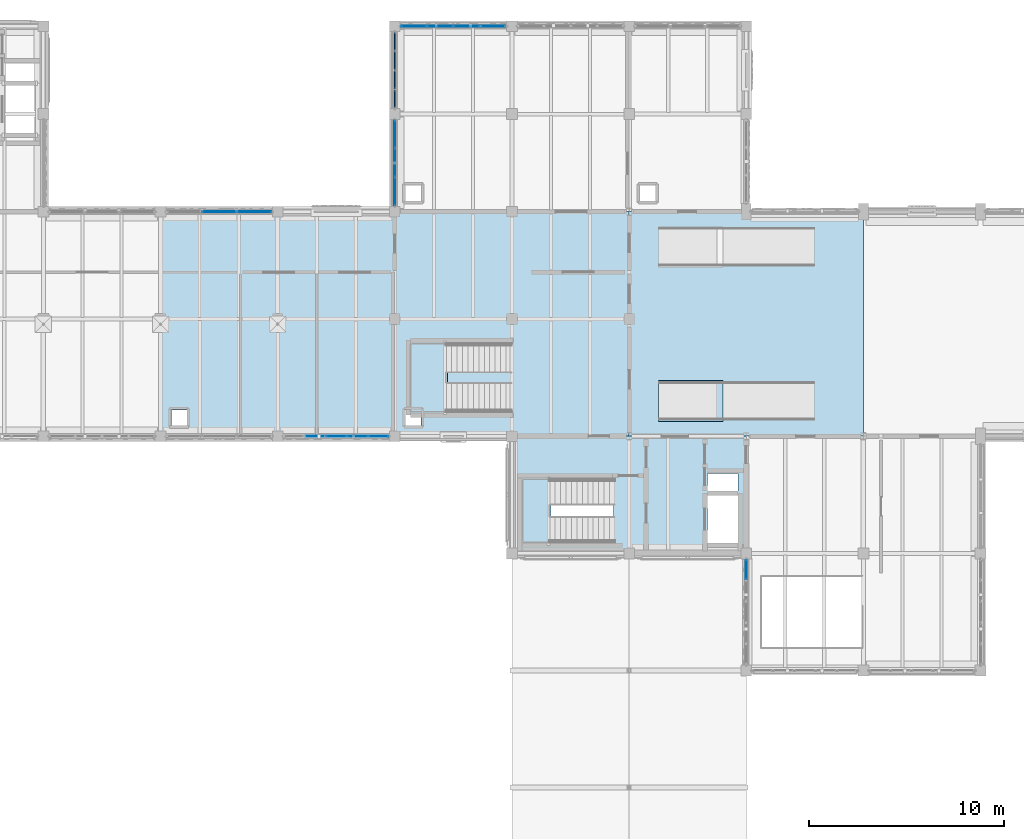
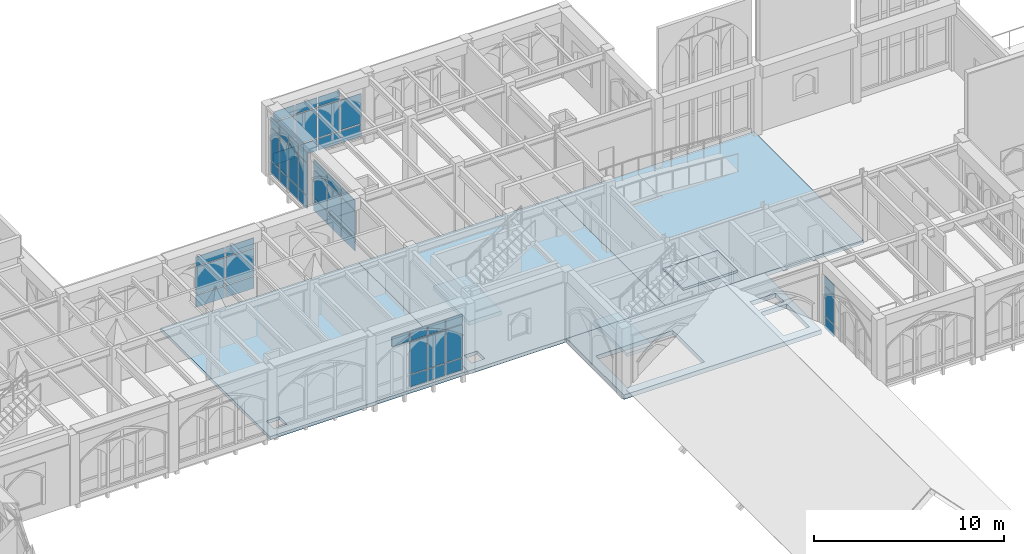
# One storey, part 65 of 108: 51 plates, 7 slabs, 8 elements without a shape of their own.
"""IFC4 building model written with IfcOpenShell, lengths in metres."""

from ifc_helpers import new_model, si_unit, direction, frame, origin, origin_2d, place, context, subcontext, project, spatial, polyline, rectangle, outline, extrude, material, layer, layer_set, type_object, element, aggregate, save


model = new_model("IFC4")

# Units and contexts
model_context = context("Model", 3, precision=1e-05, world=origin(), true_north=direction((0.0, 1.0)))
body_context = subcontext(model_context, "Body", "Model", "MODEL_VIEW")
ifc_project = project(units=[si_unit("LENGTHUNIT", "METRE"), si_unit("AREAUNIT", "SQUARE_METRE"), si_unit("VOLUMEUNIT", "CUBIC_METRE"), si_unit("PLANEANGLEUNIT", "RADIAN"), si_unit("MASSUNIT", "GRAM", prefix="KILO")], contexts=[model_context])

# Site, building, storey
site_placement = place(None, origin())
site = spatial("IfcSite", under=ifc_project, at=site_placement, CompositionType="ELEMENT")
building_placement = place(site_placement, origin())
building = spatial("IfcBuilding", under=site, at=building_placement, Name="Cumevento Cable Car Station", CompositionType="ELEMENT")
storey_placement = place(building_placement, frame((0.0, 0.0, 13.5)))
storey = spatial("IfcBuildingStorey", under=building, at=storey_placement, Name="L04", CompositionType="ELEMENT", Elevation=13.5)

# Slabs
ifc_material_1 = material(Name="Concrete C40/50", Category="concrete")
ifc_layer_1 = layer(ifc_material_1, 0.199951171875)
ifc_layer_set_1 = layer_set([ifc_layer_1], Name="Concrete C40/50")
slab_type_1 = type_object("IfcSlabType", Name="Concrete Deck FS-200 200", PredefinedType="FLOOR", material=ifc_layer_set_1)
slab_1_placement = place(storey_placement, frame((0.0, 0.0, -0.199951171875)))
element("IfcSlab", 1, at=slab_1_placement, inside=storey, type_object=slab_type_1, Name="Floor Slab FS-200 L04 B_V6c.2", PredefinedType="FLOOR", context=body_context, shape_type="SweptSolid", body=[
    extrude(outline(polyline([(40.0, 45.0), (52.0, 45.0), (52.0, 56.5), (40.0, 56.5), (40.0, 45.0)]), holes=[polyline([(40.550048828125, 45.550048828125), (41.35009765625, 45.550048828125), (41.35009765625, 46.35009765625), (40.550048828125, 46.35009765625), (40.550048828125, 45.550048828125)])]), origin(), (0.0, 0.0, 1.0), 0.199951171875),
])
slab_2_placement = place(storey_placement, origin())
element("IfcSlab", 2, at=slab_2_placement, inside=storey, type_object=slab_type_1, Name="Boarding Contour Ramp Structural Plinth RP-05", PredefinedType="FLOOR", context=body_context, shape_type="SweptSolid", body=[
    extrude(outline(polyline([(65.5, 45.75), (68.800048828125, 45.75), (68.800048828125, 47.85009765625), (65.5, 47.85009765625), (65.5, 45.75)])), origin(), (0.0, 0.0, 1.0), 0.139892578125),
])
ifc_material_2 = material(Name="Concrete C40/50", Category="concrete")
ifc_layer_2 = layer(ifc_material_2, 0.22412109375)
ifc_layer_set_2 = layer_set([ifc_layer_2], Name="Concrete C40/50")
slab_type_2 = type_object("IfcSlabType", Name="Concrete Deck FS-224 224", PredefinedType="FLOOR", material=ifc_layer_set_2)
slab_3_placement = place(storey_placement, frame((0.0, 0.0, -0.22412109375)))
element("IfcSlab", 3, at=slab_3_placement, inside=storey, type_object=slab_type_2, Name="Floor Slab FS-224 L04 B_V3d.1", PredefinedType="FLOOR", context=body_context, shape_type="SweptSolid", body=[
    extrude(outline(polyline([(52.0, 45.0), (64.0, 45.0), (64.0, 56.5), (52.0, 56.5), (52.0, 45.0)]), holes=[polyline([(52.550048828125, 45.550048828125), (53.35009765625, 45.550048828125), (53.35009765625, 46.35009765625), (52.550048828125, 46.35009765625), (52.550048828125, 45.550048828125)])]), origin(), (0.0, 0.0, 1.0), 0.22412109375),
])
ifc_material_3 = material(Name="Concrete C40/50", Category="concrete")
ifc_layer_3 = layer(ifc_material_3, 0.248046875)
ifc_layer_set_3 = layer_set([ifc_layer_3], Name="Concrete C40/50")
slab_type_3 = type_object("IfcSlabType", Name="Concrete Deck FS-248 248", PredefinedType="FLOOR", material=ifc_layer_set_3)
slab_4_placement = place(storey_placement, frame((0.0, 0.0, -0.248046875)))
element("IfcSlab", 4, at=slab_4_placement, inside=storey, type_object=slab_type_3, Name="Floor Slab FS-248 L04 B_V3a.1", PredefinedType="FLOOR", context=body_context, shape_type="SweptSolid", body=[
    extrude(outline(polyline([(64.0, 45.0), (76.0, 45.0), (76.0, 56.5), (64.0, 56.5), (64.0, 45.0)])), origin(), (0.0, 0.0, 1.0), 0.248046875),
])
ifc_material_4 = material(Name="Concrete C40/50", Category="concrete")
ifc_layer_4 = layer(ifc_material_4, 0.283935546875)
ifc_layer_set_4 = layer_set([ifc_layer_4], Name="Concrete C40/50")
slab_type_4 = type_object("IfcSlabType", Name="Concrete Deck FS-284 284", PredefinedType="FLOOR", material=ifc_layer_set_4)
slab_5_placement = place(storey_placement, frame((0.0, 0.0, -0.283935546875)))
element("IfcSlab", 5, at=slab_5_placement, inside=storey, type_object=slab_type_4, Name="Floor Slab FS-284 L04 B_V2c.1", PredefinedType="FLOOR", context=body_context, shape_type="SweptSolid", body=[
    extrude(outline(polyline([(58.0, 39.0), (70.0, 39.0), (70.0, 45.0), (58.0, 45.0), (58.0, 39.0)]), holes=[polyline([(68.010009765625, 39.5400390625), (69.580078125, 39.5400390625), (69.580078125, 41.9599609375), (68.010009765625, 41.9599609375), (68.010009765625, 39.5400390625)]), polyline([(58.52001953125, 39.52001953125), (63.199951171875, 39.52001953125), (63.199951171875, 42.85009765625), (58.52001953125, 42.85009765625), (58.52001953125, 39.52001953125)]), polyline([(68.010009765625, 42.199951171875), (69.580078125, 42.199951171875), (69.580078125, 43.10009765625), (68.010009765625, 43.10009765625), (68.010009765625, 42.199951171875)])]), origin(), (0.0, 0.0, 1.0), 0.283935546875),
])

# Curtain wall, plates
ifc_material_5 = material(Name="Anodised Bronze Aluminium AW-6063-T6", Category="aluminium")
ifc_layer_5 = layer(ifc_material_5, 0.22607421875)
ifc_layer_set_5 = layer_set([ifc_layer_5], Name="Anodised Bronze Aluminium AW-6063-T6")
curtain_wall_type_1 = type_object("IfcCurtainWallType", Name="Lancet Curtain Wall CW-12 1490", PredefinedType="NOTDEFINED", material=ifc_layer_set_5)
curtain_wall_1_placement = place(storey_placement, origin())
curtain_wall_1 = element("IfcCurtainWall", 6, at=curtain_wall_1_placement, inside=storey, type_object=curtain_wall_type_1, Name="Lancet Curtain Wall CW-12 L04 #171", PredefinedType="NOTDEFINED")
ifc_material_6 = material(Name="Solar Control Laminated Double Glazing", Category="glass")
ifc_layer_6 = layer(ifc_material_6, 0.033935546875)
ifc_layer_set_6 = layer_set([ifc_layer_6], Name="Solar Control Laminated Double Glazing")
plate_type_1 = type_object("IfcPlateType", Name="Glazed Panel CWP-04 34", PredefinedType="CURTAIN_PANEL", material=ifc_layer_set_6)
plate_1_placement = place(storey_placement, frame((52.972412109375, 66.0, 0.375), z_axis=(0.0, 0.0, 1.0), x_axis=(1.0, 0.0, 0.0)))
plate_1 = element("IfcPlate", 7, at=plate_1_placement, type_object=plate_type_1, Name="CW-12 panel 1.1", PredefinedType="CURTAIN_PANEL", context=body_context, shape_type="SweptSolid", body=[
    extrude(rectangle(XDim=1.264892578125, YDim=0.033935546875, at=origin_2d()), origin(), (0.0, 0.0, 1.0), 0.75244140625),
])
plate_2_placement = place(storey_placement, frame((52.972412109375, 66.0, 1.192626953125), z_axis=(0.0, 0.0, 1.0), x_axis=(1.0, 0.0, 0.0)))
plate_2 = element("IfcPlate", 8, at=plate_2_placement, type_object=plate_type_1, Name="CW-12 panel 1.2", PredefinedType="CURTAIN_PANEL", context=body_context, shape_type="SweptSolid", body=[
    extrude(rectangle(XDim=1.264892578125, YDim=0.033935546875, at=origin_2d()), origin(), (0.0, 0.0, 1.0), 1.91796875),
])
plate_3_placement = place(storey_placement, frame((52.972412109375, 66.0, 3.175537109375), z_axis=(0.0, 0.0, 1.0), x_axis=(1.0, 0.0, 0.0)))
plate_3 = element("IfcPlate", 9, at=plate_3_placement, type_object=plate_type_1, Name="CW-12 panel 1.3", PredefinedType="CURTAIN_PANEL", context=body_context, shape_type="SweptSolid", body=[
    extrude(rectangle(XDim=1.264892578125, YDim=0.033935546875, at=origin_2d()), origin(), (0.0, 0.0, 1.0), 0.6025390625),
])
plate_4_placement = place(storey_placement, frame((54.31884765625, 66.0, 0.375), z_axis=(0.0, 0.0, 1.0), x_axis=(1.0, 0.0, 0.0)))
plate_4 = element("IfcPlate", 10, at=plate_4_placement, type_object=plate_type_1, Name="CW-12 panel 2.1", PredefinedType="CURTAIN_PANEL", context=body_context, shape_type="SweptSolid", body=[
    extrude(rectangle(XDim=1.297607421875, YDim=0.033935546875, at=origin_2d()), origin(), (0.0, 0.0, 1.0), 0.75244140625),
])
plate_5_placement = place(storey_placement, frame((54.31884765625, 66.0, 1.192626953125), z_axis=(0.0, 0.0, 1.0), x_axis=(1.0, 0.0, 0.0)))
plate_5 = element("IfcPlate", 11, at=plate_5_placement, type_object=plate_type_1, Name="CW-12 panel 2.2", PredefinedType="CURTAIN_PANEL", context=body_context, shape_type="SweptSolid", body=[
    extrude(rectangle(XDim=1.297607421875, YDim=0.033935546875, at=origin_2d()), origin(), (0.0, 0.0, 1.0), 1.91796875),
])
plate_6_placement = place(storey_placement, frame((54.31884765625, 66.0, 3.175537109375), z_axis=(0.0, 0.0, 1.0), x_axis=(1.0, 0.0, 0.0)))
plate_6 = element("IfcPlate", 12, at=plate_6_placement, type_object=plate_type_1, Name="CW-12 panel 2.3", PredefinedType="CURTAIN_PANEL", context=body_context, shape_type="SweptSolid", body=[
    extrude(rectangle(XDim=1.297607421875, YDim=0.033935546875, at=origin_2d()), origin(), (0.0, 0.0, 1.0), 0.6025390625),
])
plate_7_placement = place(storey_placement, frame((55.68115234375, 66.0, 0.375), z_axis=(0.0, 0.0, 1.0), x_axis=(1.0, 0.0, 0.0)))
plate_7 = element("IfcPlate", 13, at=plate_7_placement, type_object=plate_type_1, Name="CW-12 panel 3.1", PredefinedType="CURTAIN_PANEL", context=body_context, shape_type="SweptSolid", body=[
    extrude(rectangle(XDim=1.297607421875, YDim=0.033935546875, at=origin_2d()), origin(), (0.0, 0.0, 1.0), 0.75244140625),
])
plate_8_placement = place(storey_placement, frame((55.68115234375, 66.0, 1.192626953125), z_axis=(0.0, 0.0, 1.0), x_axis=(1.0, 0.0, 0.0)))
plate_8 = element("IfcPlate", 14, at=plate_8_placement, type_object=plate_type_1, Name="CW-12 panel 3.2", PredefinedType="CURTAIN_PANEL", context=body_context, shape_type="SweptSolid", body=[
    extrude(rectangle(XDim=1.297607421875, YDim=0.033935546875, at=origin_2d()), origin(), (0.0, 0.0, 1.0), 1.91796875),
])
plate_9_placement = place(storey_placement, frame((55.68115234375, 66.0, 3.175537109375), z_axis=(0.0, 0.0, 1.0), x_axis=(1.0, 0.0, 0.0)))
plate_9 = element("IfcPlate", 15, at=plate_9_placement, type_object=plate_type_1, Name="CW-12 panel 3.3", PredefinedType="CURTAIN_PANEL", context=body_context, shape_type="SweptSolid", body=[
    extrude(rectangle(XDim=1.297607421875, YDim=0.033935546875, at=origin_2d()), origin(), (0.0, 0.0, 1.0), 0.6025390625),
])
plate_10_placement = place(storey_placement, frame((57.027587890625, 66.0, 0.375), z_axis=(0.0, 0.0, 1.0), x_axis=(1.0, 0.0, 0.0)))
plate_10 = element("IfcPlate", 16, at=plate_10_placement, type_object=plate_type_1, Name="CW-12 panel 4.1", PredefinedType="CURTAIN_PANEL", context=body_context, shape_type="SweptSolid", body=[
    extrude(rectangle(XDim=1.264892578125, YDim=0.033935546875, at=origin_2d()), origin(), (0.0, 0.0, 1.0), 0.75244140625),
])
plate_11_placement = place(storey_placement, frame((57.027587890625, 66.0, 1.192626953125), z_axis=(0.0, 0.0, 1.0), x_axis=(1.0, 0.0, 0.0)))
plate_11 = element("IfcPlate", 17, at=plate_11_placement, type_object=plate_type_1, Name="CW-12 panel 4.2", PredefinedType="CURTAIN_PANEL", context=body_context, shape_type="SweptSolid", body=[
    extrude(rectangle(XDim=1.264892578125, YDim=0.033935546875, at=origin_2d()), origin(), (0.0, 0.0, 1.0), 1.91796875),
])
aggregate(curtain_wall_1, [plate_1, plate_2, plate_3, plate_4, plate_5, plate_6, plate_7, plate_8, plate_9, plate_10, plate_11])

ifc_material_7 = material(Name="Anodised Bronze Aluminium AW-6063-T6", Category="aluminium")
ifc_layer_7 = layer(ifc_material_7, 0.25)
ifc_layer_set_7 = layer_set([ifc_layer_7], Name="Anodised Bronze Aluminium AW-6063-T6")
curtain_wall_type_2 = type_object("IfcCurtainWallType", Name="Lancet Curtain Wall CW-16 1650", PredefinedType="NOTDEFINED", material=ifc_layer_set_7)
curtain_wall_2_placement = place(storey_placement, origin())
curtain_wall_2 = element("IfcCurtainWall", 18, at=curtain_wall_2_placement, inside=storey, type_object=curtain_wall_type_2, Name="Lancet Curtain Wall CW-16 L04 #159", PredefinedType="NOTDEFINED")
ifc_material_8 = material(Name="Solar Control Laminated Double Glazing", Category="glass")
ifc_layer_8 = layer(ifc_material_8, 0.0419921875)
ifc_layer_set_8 = layer_set([ifc_layer_8], Name="Solar Control Laminated Double Glazing")
plate_type_2 = type_object("IfcPlateType", Name="Glazed Panel CWP-06 42", PredefinedType="CURTAIN_PANEL", material=ifc_layer_set_8)
plate_12_placement = place(storey_placement, frame((43.0, 56.5, 0.5849609375), z_axis=(0.0, 0.0, 1.0), x_axis=(1.0, 0.0, 0.0)))
plate_12 = element("IfcPlate", 19, at=plate_12_placement, type_object=plate_type_2, Name="CW-16 panel 2.1", PredefinedType="CURTAIN_PANEL", context=body_context, shape_type="SweptSolid", body=[
    extrude(rectangle(XDim=1.751708984375, YDim=0.0419921875, at=origin_2d()), origin(), (0.0, 0.0, 1.0), 0.75244140625),
])
plate_13_placement = place(storey_placement, frame((43.0, 56.5, 1.40234375), z_axis=(0.0, 0.0, 1.0), x_axis=(1.0, 0.0, 0.0)))
plate_13 = element("IfcPlate", 20, at=plate_13_placement, type_object=plate_type_2, Name="CW-16 panel 2.2", PredefinedType="CURTAIN_PANEL", context=body_context, shape_type="SweptSolid", body=[
    extrude(rectangle(XDim=1.751708984375, YDim=0.0419921875, at=origin_2d()), origin(), (0.0, 0.0, 1.0), 1.74609375),
])
plate_14_placement = place(storey_placement, frame((43.0, 56.5, 3.21337890625), z_axis=(0.0, 0.0, 1.0), x_axis=(1.0, 0.0, 0.0)))
plate_14 = element("IfcPlate", 21, at=plate_14_placement, type_object=plate_type_2, Name="CW-16 panel 2.3", PredefinedType="CURTAIN_PANEL", context=body_context, shape_type="SweptSolid", body=[
    extrude(rectangle(XDim=1.751708984375, YDim=0.0419921875, at=origin_2d()), origin(), (0.0, 0.0, 1.0), 0.6025390625),
])
plate_15_placement = place(storey_placement, frame((44.800537109375, 56.5, 0.5849609375), z_axis=(0.0, 0.0, 1.0), x_axis=(1.0, 0.0, 0.0)))
plate_15 = element("IfcPlate", 22, at=plate_15_placement, type_object=plate_type_2, Name="CW-16 panel 3.1", PredefinedType="CURTAIN_PANEL", context=body_context, shape_type="SweptSolid", body=[
    extrude(rectangle(XDim=1.71923828125, YDim=0.0419921875, at=origin_2d()), origin(), (0.0, 0.0, 1.0), 0.75244140625),
])
plate_16_placement = place(storey_placement, frame((44.800537109375, 56.5, 1.40234375), z_axis=(0.0, 0.0, 1.0), x_axis=(1.0, 0.0, 0.0)))
plate_16 = element("IfcPlate", 23, at=plate_16_placement, type_object=plate_type_2, Name="CW-16 panel 3.2", PredefinedType="CURTAIN_PANEL", context=body_context, shape_type="SweptSolid", body=[
    extrude(rectangle(XDim=1.71923828125, YDim=0.0419921875, at=origin_2d()), origin(), (0.0, 0.0, 1.0), 1.74609375),
])
plate_17_placement = place(storey_placement, frame((44.800537109375, 56.5, 3.21337890625), z_axis=(0.0, 0.0, 1.0), x_axis=(1.0, 0.0, 0.0)))
plate_17 = element("IfcPlate", 24, at=plate_17_placement, type_object=plate_type_2, Name="CW-16 panel 3.3", PredefinedType="CURTAIN_PANEL", context=body_context, shape_type="SweptSolid", body=[
    extrude(rectangle(XDim=1.71923828125, YDim=0.0419921875, at=origin_2d()), origin(), (0.0, 0.0, 1.0), 0.6025390625),
])
aggregate(curtain_wall_2, [plate_12, plate_13, plate_14, plate_15, plate_16, plate_17])

ifc_material_9 = material(Name="Anodised Bronze Aluminium AW-6063-T6", Category="aluminium")
ifc_layer_9 = layer(ifc_material_9, 0.172119140625)
ifc_layer_set_9 = layer_set([ifc_layer_9], Name="Anodised Bronze Aluminium AW-6063-T6")
curtain_wall_type_3 = type_object("IfcCurtainWallType", Name="Lancet Curtain Wall CW-03 1130", PredefinedType="NOTDEFINED", material=ifc_layer_set_9)
curtain_wall_3_placement = place(storey_placement, origin())
curtain_wall_3 = element("IfcCurtainWall", 25, at=curtain_wall_3_placement, inside=storey, type_object=curtain_wall_type_3, Name="Lancet Curtain Wall CW-03 L04 #146", PredefinedType="NOTDEFINED")
ifc_material_10 = material(Name="Solar Control Laminated Double Glazing", Category="glass")
ifc_layer_10 = layer(ifc_material_10, 0.0458984375)
ifc_layer_set_10 = layer_set([ifc_layer_10], Name="Solar Control Laminated Double Glazing")
plate_type_3 = type_object("IfcPlateType", Name="Glazed Panel CWP-07 46", PredefinedType="CURTAIN_PANEL", material=ifc_layer_set_10)
plate_18_placement = place(storey_placement, frame((70.0, 38.163818359375, 0.324951171875), z_axis=(0.0, 0.0, 1.0), x_axis=(0.0, 1.0, 0.0)))
plate_18 = element("IfcPlate", 26, at=plate_18_placement, type_object=plate_type_3, Name="CW-03 panel 5.1", PredefinedType="CURTAIN_PANEL", context=body_context, shape_type="SweptSolid", body=[
    extrude(rectangle(XDim=0.992431640625, YDim=0.0458984375, at=origin_2d()), origin(), (0.0, 0.0, 1.0), 0.75244140625),
])
plate_19_placement = place(storey_placement, frame((70.0, 38.163818359375, 1.142578125), z_axis=(0.0, 0.0, 1.0), x_axis=(0.0, 1.0, 0.0)))
plate_19 = element("IfcPlate", 27, at=plate_19_placement, type_object=plate_type_3, Name="CW-03 panel 5.2", PredefinedType="CURTAIN_PANEL", context=body_context, shape_type="SweptSolid", body=[
    extrude(rectangle(XDim=0.992431640625, YDim=0.0458984375, at=origin_2d()), origin(), (0.0, 0.0, 1.0), 1.8720703125),
])
plate_20_placement = place(storey_placement, frame((70.0, 38.163818359375, 3.07958984375), z_axis=(0.0, 0.0, 1.0), x_axis=(0.0, 1.0, 0.0)))
plate_20 = element("IfcPlate", 28, at=plate_20_placement, type_object=plate_type_3, Name="CW-03 panel 5.3", PredefinedType="CURTAIN_PANEL", context=body_context, shape_type="SweptSolid", body=[
    extrude(rectangle(XDim=0.992431640625, YDim=0.0458984375, at=origin_2d()), origin(), (0.0, 0.0, 1.0), 0.6025390625),
])
aggregate(curtain_wall_3, [plate_18, plate_19, plate_20])

ifc_material_11 = material(Name="Anodised Bronze Aluminium AW-6063-T6", Category="aluminium")
ifc_layer_11 = layer(ifc_material_11, 0.159912109375)
ifc_layer_set_11 = layer_set([ifc_layer_11], Name="Anodised Bronze Aluminium AW-6063-T6")
curtain_wall_type_4 = type_object("IfcCurtainWallType", Name="Lancet Curtain Wall CW-01 1050", PredefinedType="NOTDEFINED", material=ifc_layer_set_11)
curtain_wall_4_placement = place(storey_placement, origin())
curtain_wall_4 = element("IfcCurtainWall", 29, at=curtain_wall_4_placement, inside=storey, type_object=curtain_wall_type_4, Name="Lancet Curtain Wall CW-01 L04 #160", PredefinedType="NOTDEFINED")
plate_21_placement = place(storey_placement, frame((51.163818359375, 45.0, 0.22509765625), z_axis=(0.0, 0.0, 1.0), x_axis=(-1.0, 0.0, 0.0)))
plate_21 = element("IfcPlate", 30, at=plate_21_placement, type_object=plate_type_3, Name="CW-01 panel 1.1", PredefinedType="CURTAIN_PANEL", context=body_context, shape_type="SweptSolid", body=[
    extrude(rectangle(XDim=0.992431640625, YDim=0.0458984375, at=origin_2d()), origin(), (0.0, 0.0, 1.0), 0.75244140625),
])
plate_22_placement = place(storey_placement, frame((51.163818359375, 45.0, 1.04248046875), z_axis=(0.0, 0.0, 1.0), x_axis=(-1.0, 0.0, 0.0)))
plate_22 = element("IfcPlate", 31, at=plate_22_placement, type_object=plate_type_3, Name="CW-01 panel 1.2", PredefinedType="CURTAIN_PANEL", context=body_context, shape_type="SweptSolid", body=[
    extrude(rectangle(XDim=0.992431640625, YDim=0.0458984375, at=origin_2d()), origin(), (0.0, 0.0, 1.0), 2.08203125),
])
plate_23_placement = place(storey_placement, frame((51.163818359375, 45.0, 3.189453125), z_axis=(0.0, 0.0, 1.0), x_axis=(-1.0, 0.0, 0.0)))
plate_23 = element("IfcPlate", 32, at=plate_23_placement, type_object=plate_type_3, Name="CW-01 panel 1.3", PredefinedType="CURTAIN_PANEL", context=body_context, shape_type="SweptSolid", body=[
    extrude(rectangle(XDim=0.992431640625, YDim=0.0458984375, at=origin_2d()), origin(), (0.0, 0.0, 1.0), 0.6025390625),
])
plate_24_placement = place(storey_placement, frame((50.090087890625, 45.0, 0.22509765625), z_axis=(0.0, 0.0, 1.0), x_axis=(-1.0, 0.0, 0.0)))
plate_24 = element("IfcPlate", 33, at=plate_24_placement, type_object=plate_type_3, Name="CW-01 panel 2.1", PredefinedType="CURTAIN_PANEL", context=body_context, shape_type="SweptSolid", body=[
    extrude(rectangle(XDim=1.02490234375, YDim=0.0458984375, at=origin_2d()), origin(), (0.0, 0.0, 1.0), 0.75244140625),
])
plate_25_placement = place(storey_placement, frame((50.090087890625, 45.0, 1.04248046875), z_axis=(0.0, 0.0, 1.0), x_axis=(-1.0, 0.0, 0.0)))
plate_25 = element("IfcPlate", 34, at=plate_25_placement, type_object=plate_type_3, Name="CW-01 panel 2.2", PredefinedType="CURTAIN_PANEL", context=body_context, shape_type="SweptSolid", body=[
    extrude(rectangle(XDim=1.02490234375, YDim=0.0458984375, at=origin_2d()), origin(), (0.0, 0.0, 1.0), 2.08203125),
])
plate_26_placement = place(storey_placement, frame((50.090087890625, 45.0, 3.189453125), z_axis=(0.0, 0.0, 1.0), x_axis=(-1.0, 0.0, 0.0)))
plate_26 = element("IfcPlate", 35, at=plate_26_placement, type_object=plate_type_3, Name="CW-01 panel 2.3", PredefinedType="CURTAIN_PANEL", context=body_context, shape_type="SweptSolid", body=[
    extrude(rectangle(XDim=1.02490234375, YDim=0.0458984375, at=origin_2d()), origin(), (0.0, 0.0, 1.0), 0.6025390625),
])
plate_27_placement = place(storey_placement, frame((49.0, 45.0, 0.22509765625), z_axis=(0.0, 0.0, 1.0), x_axis=(-1.0, 0.0, 0.0)))
plate_27 = element("IfcPlate", 36, at=plate_27_placement, type_object=plate_type_3, Name="CW-01 panel 3.1", PredefinedType="CURTAIN_PANEL", context=body_context, shape_type="SweptSolid", body=[
    extrude(rectangle(XDim=1.02490234375, YDim=0.0458984375, at=origin_2d()), origin(), (0.0, 0.0, 1.0), 0.75244140625),
])
plate_28_placement = place(storey_placement, frame((49.0, 45.0, 1.04248046875), z_axis=(0.0, 0.0, 1.0), x_axis=(-1.0, 0.0, 0.0)))
plate_28 = element("IfcPlate", 37, at=plate_28_placement, type_object=plate_type_3, Name="CW-01 panel 3.2", PredefinedType="CURTAIN_PANEL", context=body_context, shape_type="SweptSolid", body=[
    extrude(rectangle(XDim=1.02490234375, YDim=0.0458984375, at=origin_2d()), origin(), (0.0, 0.0, 1.0), 2.08203125),
])
plate_29_placement = place(storey_placement, frame((49.0, 45.0, 3.189453125), z_axis=(0.0, 0.0, 1.0), x_axis=(-1.0, 0.0, 0.0)))
plate_29 = element("IfcPlate", 38, at=plate_29_placement, type_object=plate_type_3, Name="CW-01 panel 3.3", PredefinedType="CURTAIN_PANEL", context=body_context, shape_type="SweptSolid", body=[
    extrude(rectangle(XDim=1.02490234375, YDim=0.0458984375, at=origin_2d()), origin(), (0.0, 0.0, 1.0), 0.6025390625),
])
plate_30_placement = place(storey_placement, frame((47.909912109375, 45.0, 3.189453125), z_axis=(0.0, 0.0, 1.0), x_axis=(-1.0, 0.0, 0.0)))
plate_30 = element("IfcPlate", 39, at=plate_30_placement, type_object=plate_type_3, Name="CW-01 panel 4.3", PredefinedType="CURTAIN_PANEL", context=body_context, shape_type="SweptSolid", body=[
    extrude(rectangle(XDim=1.02490234375, YDim=0.0458984375, at=origin_2d()), origin(), (0.0, 0.0, 1.0), 0.6025390625),
])
aggregate(curtain_wall_4, [plate_21, plate_22, plate_23, plate_24, plate_25, plate_26, plate_27, plate_28, plate_29, plate_30])

ifc_material_12 = material(Name="Anodised Bronze Aluminium AW-6063-T6", Category="aluminium")
ifc_layer_12 = layer(ifc_material_12, 0.243896484375)
ifc_layer_set_12 = layer_set([ifc_layer_12], Name="Anodised Bronze Aluminium AW-6063-T6")
curtain_wall_type_5 = type_object("IfcCurtainWallType", Name="Lancet Curtain Wall CW-15 1610", PredefinedType="NOTDEFINED", material=ifc_layer_set_12)
curtain_wall_5_placement = place(storey_placement, origin())
curtain_wall_5 = element("IfcCurtainWall", 40, at=curtain_wall_5_placement, inside=storey, type_object=curtain_wall_type_5, Name="Lancet Curtain Wall CW-15 L04 #174", PredefinedType="NOTDEFINED")
plate_31_placement = place(storey_placement, frame((52.0, 57.532958984375, 0.525146484375), z_axis=(0.0, 0.0, 1.0), x_axis=(0.0, 1.0, 0.0)))
plate_31 = element("IfcPlate", 41, at=plate_31_placement, type_object=plate_type_3, Name="CW-15 panel 1.1", PredefinedType="CURTAIN_PANEL", context=body_context, shape_type="SweptSolid", body=[
    extrude(rectangle(XDim=1.3857421875, YDim=0.0458984375, at=origin_2d()), origin(), (0.0, 0.0, 1.0), 0.75244140625),
])
plate_32_placement = place(storey_placement, frame((52.0, 57.532958984375, 1.342529296875), z_axis=(0.0, 0.0, 1.0), x_axis=(0.0, 1.0, 0.0)))
plate_32 = element("IfcPlate", 42, at=plate_32_placement, type_object=plate_type_3, Name="CW-15 panel 1.2", PredefinedType="CURTAIN_PANEL", context=body_context, shape_type="SweptSolid", body=[
    extrude(rectangle(XDim=1.3857421875, YDim=0.0458984375, at=origin_2d()), origin(), (0.0, 0.0, 1.0), 1.76806640625),
])
plate_33_placement = place(storey_placement, frame((52.0, 57.532958984375, 3.175537109375), z_axis=(0.0, 0.0, 1.0), x_axis=(0.0, 1.0, 0.0)))
plate_33 = element("IfcPlate", 43, at=plate_33_placement, type_object=plate_type_3, Name="CW-15 panel 1.3", PredefinedType="CURTAIN_PANEL", context=body_context, shape_type="SweptSolid", body=[
    extrude(rectangle(XDim=1.3857421875, YDim=0.0458984375, at=origin_2d()), origin(), (0.0, 0.0, 1.0), 0.6025390625),
])
plate_34_placement = place(storey_placement, frame((52.0, 59.0, 0.525146484375), z_axis=(0.0, 0.0, 1.0), x_axis=(0.0, 1.0, 0.0)))
plate_34 = element("IfcPlate", 44, at=plate_34_placement, type_object=plate_type_3, Name="CW-15 panel 2.1", PredefinedType="CURTAIN_PANEL", context=body_context, shape_type="SweptSolid", body=[
    extrude(rectangle(XDim=1.418212890625, YDim=0.0458984375, at=origin_2d()), origin(), (0.0, 0.0, 1.0), 0.75244140625),
])
plate_35_placement = place(storey_placement, frame((52.0, 59.0, 1.342529296875), z_axis=(0.0, 0.0, 1.0), x_axis=(0.0, 1.0, 0.0)))
plate_35 = element("IfcPlate", 45, at=plate_35_placement, type_object=plate_type_3, Name="CW-15 panel 2.2", PredefinedType="CURTAIN_PANEL", context=body_context, shape_type="SweptSolid", body=[
    extrude(rectangle(XDim=1.418212890625, YDim=0.0458984375, at=origin_2d()), origin(), (0.0, 0.0, 1.0), 1.76806640625),
])
plate_36_placement = place(storey_placement, frame((52.0, 59.0, 3.175537109375), z_axis=(0.0, 0.0, 1.0), x_axis=(0.0, 1.0, 0.0)))
plate_36 = element("IfcPlate", 46, at=plate_36_placement, type_object=plate_type_3, Name="CW-15 panel 2.3", PredefinedType="CURTAIN_PANEL", context=body_context, shape_type="SweptSolid", body=[
    extrude(rectangle(XDim=1.418212890625, YDim=0.0458984375, at=origin_2d()), origin(), (0.0, 0.0, 1.0), 0.6025390625),
])
plate_37_placement = place(storey_placement, frame((52.0, 60.467041015625, 0.525146484375), z_axis=(0.0, 0.0, 1.0), x_axis=(0.0, 1.0, 0.0)))
plate_37 = element("IfcPlate", 47, at=plate_37_placement, type_object=plate_type_3, Name="CW-15 panel 3.1", PredefinedType="CURTAIN_PANEL", context=body_context, shape_type="SweptSolid", body=[
    extrude(rectangle(XDim=1.3857421875, YDim=0.0458984375, at=origin_2d()), origin(), (0.0, 0.0, 1.0), 0.75244140625),
])
plate_38_placement = place(storey_placement, frame((52.0, 60.467041015625, 1.342529296875), z_axis=(0.0, 0.0, 1.0), x_axis=(0.0, 1.0, 0.0)))
plate_38 = element("IfcPlate", 48, at=plate_38_placement, type_object=plate_type_3, Name="CW-15 panel 3.2", PredefinedType="CURTAIN_PANEL", context=body_context, shape_type="SweptSolid", body=[
    extrude(rectangle(XDim=1.3857421875, YDim=0.0458984375, at=origin_2d()), origin(), (0.0, 0.0, 1.0), 1.76806640625),
])
plate_39_placement = place(storey_placement, frame((52.0, 60.467041015625, 3.175537109375), z_axis=(0.0, 0.0, 1.0), x_axis=(0.0, 1.0, 0.0)))
plate_39 = element("IfcPlate", 49, at=plate_39_placement, type_object=plate_type_3, Name="CW-15 panel 3.3", PredefinedType="CURTAIN_PANEL", context=body_context, shape_type="SweptSolid", body=[
    extrude(rectangle(XDim=1.3857421875, YDim=0.0458984375, at=origin_2d()), origin(), (0.0, 0.0, 1.0), 0.6025390625),
])
aggregate(curtain_wall_5, [plate_31, plate_32, plate_33, plate_34, plate_35, plate_36, plate_37, plate_38, plate_39])

curtain_wall_6_placement = place(storey_placement, origin())
curtain_wall_6 = element("IfcCurtainWall", 50, at=curtain_wall_6_placement, inside=storey, type_object=curtain_wall_type_4, Name="Lancet Curtain Wall CW-01 L04 #176", PredefinedType="NOTDEFINED")
ifc_material_13 = material(Name="Insulated Bronze Aluminium Spandrel Panel", Category="aluminium")
ifc_layer_13 = layer(ifc_material_13, 0.054931640625)
ifc_layer_set_13 = layer_set([ifc_layer_13], Name="Insulated Bronze Aluminium Spandrel Panel")
plate_type_4 = type_object("IfcPlateType", Name="Spandrel Panel CWP-09 55", PredefinedType="CURTAIN_PANEL", material=ifc_layer_set_13)
plate_40_placement = place(storey_placement, frame((52.0, 62.284912109375, 0.22509765625), z_axis=(0.0, 0.0, 1.0), x_axis=(0.0, 1.0, 0.0)))
plate_40 = element("IfcPlate", 51, at=plate_40_placement, type_object=plate_type_4, Name="CW-01 panel 1.1", PredefinedType="CURTAIN_PANEL", context=body_context, shape_type="SweptSolid", body=[
    extrude(rectangle(XDim=0.889892578125, YDim=0.054931640625, at=origin_2d()), origin(), (0.0, 0.0, 1.0), 0.75244140625),
])
plate_41_placement = place(storey_placement, frame((52.0, 62.284912109375, 1.04248046875), z_axis=(0.0, 0.0, 1.0), x_axis=(0.0, 1.0, 0.0)))
plate_41 = element("IfcPlate", 52, at=plate_41_placement, type_object=plate_type_4, Name="CW-01 panel 1.2", PredefinedType="CURTAIN_PANEL", context=body_context, shape_type="SweptSolid", body=[
    extrude(rectangle(XDim=0.889892578125, YDim=0.054931640625, at=origin_2d()), origin(), (0.0, 0.0, 1.0), 2.068115234375),
])
plate_42_placement = place(storey_placement, frame((52.0, 62.284912109375, 3.175537109375), z_axis=(0.0, 0.0, 1.0), x_axis=(0.0, 1.0, 0.0)))
plate_42 = element("IfcPlate", 53, at=plate_42_placement, type_object=plate_type_4, Name="CW-01 panel 1.3", PredefinedType="CURTAIN_PANEL", context=body_context, shape_type="SweptSolid", body=[
    extrude(rectangle(XDim=0.889892578125, YDim=0.054931640625, at=origin_2d()), origin(), (0.0, 0.0, 1.0), 0.6025390625),
])
plate_43_placement = place(storey_placement, frame((52.0, 63.25634765625, 0.22509765625), z_axis=(0.0, 0.0, 1.0), x_axis=(0.0, 1.0, 0.0)))
plate_43 = element("IfcPlate", 54, at=plate_43_placement, type_object=plate_type_4, Name="CW-01 panel 2.1", PredefinedType="CURTAIN_PANEL", context=body_context, shape_type="SweptSolid", body=[
    extrude(rectangle(XDim=0.922607421875, YDim=0.054931640625, at=origin_2d()), origin(), (0.0, 0.0, 1.0), 0.75244140625),
])
plate_44_placement = place(storey_placement, frame((52.0, 63.25634765625, 1.04248046875), z_axis=(0.0, 0.0, 1.0), x_axis=(0.0, 1.0, 0.0)))
plate_44 = element("IfcPlate", 55, at=plate_44_placement, type_object=plate_type_4, Name="CW-01 panel 2.2", PredefinedType="CURTAIN_PANEL", context=body_context, shape_type="SweptSolid", body=[
    extrude(rectangle(XDim=0.922607421875, YDim=0.054931640625, at=origin_2d()), origin(), (0.0, 0.0, 1.0), 2.068115234375),
])
plate_45_placement = place(storey_placement, frame((52.0, 63.25634765625, 3.175537109375), z_axis=(0.0, 0.0, 1.0), x_axis=(0.0, 1.0, 0.0)))
plate_45 = element("IfcPlate", 56, at=plate_45_placement, type_object=plate_type_4, Name="CW-01 panel 2.3", PredefinedType="CURTAIN_PANEL", context=body_context, shape_type="SweptSolid", body=[
    extrude(rectangle(XDim=0.922607421875, YDim=0.054931640625, at=origin_2d()), origin(), (0.0, 0.0, 1.0), 0.6025390625),
])
plate_46_placement = place(storey_placement, frame((52.0, 64.24365234375, 0.22509765625), z_axis=(0.0, 0.0, 1.0), x_axis=(0.0, 1.0, 0.0)))
plate_46 = element("IfcPlate", 57, at=plate_46_placement, type_object=plate_type_4, Name="CW-01 panel 3.1", PredefinedType="CURTAIN_PANEL", context=body_context, shape_type="SweptSolid", body=[
    extrude(rectangle(XDim=0.922607421875, YDim=0.054931640625, at=origin_2d()), origin(), (0.0, 0.0, 1.0), 0.75244140625),
])
plate_47_placement = place(storey_placement, frame((52.0, 64.24365234375, 1.04248046875), z_axis=(0.0, 0.0, 1.0), x_axis=(0.0, 1.0, 0.0)))
plate_47 = element("IfcPlate", 58, at=plate_47_placement, type_object=plate_type_4, Name="CW-01 panel 3.2", PredefinedType="CURTAIN_PANEL", context=body_context, shape_type="SweptSolid", body=[
    extrude(rectangle(XDim=0.922607421875, YDim=0.054931640625, at=origin_2d()), origin(), (0.0, 0.0, 1.0), 2.068115234375),
])
plate_48_placement = place(storey_placement, frame((52.0, 64.24365234375, 3.175537109375), z_axis=(0.0, 0.0, 1.0), x_axis=(0.0, 1.0, 0.0)))
plate_48 = element("IfcPlate", 59, at=plate_48_placement, type_object=plate_type_4, Name="CW-01 panel 3.3", PredefinedType="CURTAIN_PANEL", context=body_context, shape_type="SweptSolid", body=[
    extrude(rectangle(XDim=0.922607421875, YDim=0.054931640625, at=origin_2d()), origin(), (0.0, 0.0, 1.0), 0.6025390625),
])
plate_49_placement = place(storey_placement, frame((52.0, 65.215087890625, 0.22509765625), z_axis=(0.0, 0.0, 1.0), x_axis=(0.0, 1.0, 0.0)))
plate_49 = element("IfcPlate", 60, at=plate_49_placement, type_object=plate_type_4, Name="CW-01 panel 4.1", PredefinedType="CURTAIN_PANEL", context=body_context, shape_type="SweptSolid", body=[
    extrude(rectangle(XDim=0.889892578125, YDim=0.054931640625, at=origin_2d()), origin(), (0.0, 0.0, 1.0), 0.75244140625),
])
plate_50_placement = place(storey_placement, frame((52.0, 65.215087890625, 1.04248046875), z_axis=(0.0, 0.0, 1.0), x_axis=(0.0, 1.0, 0.0)))
plate_50 = element("IfcPlate", 61, at=plate_50_placement, type_object=plate_type_4, Name="CW-01 panel 4.2", PredefinedType="CURTAIN_PANEL", context=body_context, shape_type="SweptSolid", body=[
    extrude(rectangle(XDim=0.889892578125, YDim=0.054931640625, at=origin_2d()), origin(), (0.0, 0.0, 1.0), 2.068115234375),
])
plate_51_placement = place(storey_placement, frame((52.0, 65.215087890625, 3.175537109375), z_axis=(0.0, 0.0, 1.0), x_axis=(0.0, 1.0, 0.0)))
plate_51 = element("IfcPlate", 62, at=plate_51_placement, type_object=plate_type_4, Name="CW-01 panel 4.3", PredefinedType="CURTAIN_PANEL", context=body_context, shape_type="SweptSolid", body=[
    extrude(rectangle(XDim=0.889892578125, YDim=0.054931640625, at=origin_2d()), origin(), (0.0, 0.0, 1.0), 0.6025390625),
])
aggregate(curtain_wall_6, [plate_40, plate_41, plate_42, plate_43, plate_44, plate_45, plate_46, plate_47, plate_48, plate_49, plate_50, plate_51])

# Stair, slab
ifc_material_14 = material(Name="Concrete C40/50", Category="concrete")
stair_type_1 = type_object("IfcStairType", Name="Half-Turn Stair ST-T04 1350", PredefinedType="HALF_TURN_STAIR", material=ifc_material_14)
stair_1_placement = place(storey_placement, origin())
stair_1 = element("IfcStair", 63, at=stair_1_placement, inside=storey, type_object=stair_type_1, Name="Enclosed Exit Stair ST-01 (L04 to L05)", PredefinedType="HALF_TURN_STAIR")
ifc_material_15 = material(Name="Concrete C40/50", Category="concrete")
ifc_layer_14 = layer(ifc_material_15, 0.20703125)
ifc_layer_set_14 = layer_set([ifc_layer_14], Name="Concrete C40/50")
slab_type_5 = type_object("IfcSlabType", Name="Stair Landing STL-T04 207", PredefinedType="LANDING", material=ifc_layer_set_14)
slab_6_placement = place(storey_placement, frame((0.0, 0.0, 2.04296875)))
slab_6 = element("IfcSlab", 64, at=slab_6_placement, type_object=slab_type_5, Name="ST-01-L04 Half-Landing", PredefinedType="LANDING", context=body_context, shape_type="SweptSolid", body=[
    extrude(outline(polyline([(58.43994140625, 39.43994140625), (60.0, 39.43994140625), (60.0, 42.929931640625), (58.43994140625, 42.929931640625), (58.43994140625, 39.43994140625)])), origin(), (0.0, 0.0, 1.0), 0.20703125),
])
aggregate(stair_1, [slab_6])

ifc_material_16 = material(Name="Concrete C40/50", Category="concrete")
stair_type_2 = type_object("IfcStairType", Name="Half-Turn Stair ST-T10 1530", PredefinedType="HALF_TURN_STAIR", material=ifc_material_16)
stair_2_placement = place(storey_placement, origin())
stair_2 = element("IfcStair", 65, at=stair_2_placement, inside=storey, type_object=stair_type_2, Name="Boarding to Line Control Stair L04-L05", PredefinedType="HALF_TURN_STAIR")
ifc_material_17 = material(Name="Concrete C40/50", Category="concrete")
ifc_layer_15 = layer(ifc_material_17, 0.2548828125)
ifc_layer_set_15 = layer_set([ifc_layer_15], Name="Concrete C40/50")
slab_type_6 = type_object("IfcSlabType", Name="Stair Landing STL-T10 255", PredefinedType="LANDING", material=ifc_layer_set_15)
slab_7_placement = place(storey_placement, frame((0.0, 0.0, 1.9951171875)))
slab_7 = element("IfcSlab", 66, at=slab_7_placement, type_object=slab_type_6, Name="ST-13 Half-Landing", PredefinedType="LANDING", context=body_context, shape_type="SweptSolid", body=[
    extrude(outline(polyline([(52.719970703125, 46.1201171875), (54.699951171875, 46.1201171875), (54.699951171875, 49.8798828125), (52.719970703125, 49.8798828125), (52.719970703125, 46.1201171875)])), origin(), (0.0, 0.0, 1.0), 0.2548828125),
])
aggregate(stair_2, [slab_7])

save(model, "model.ifc")
